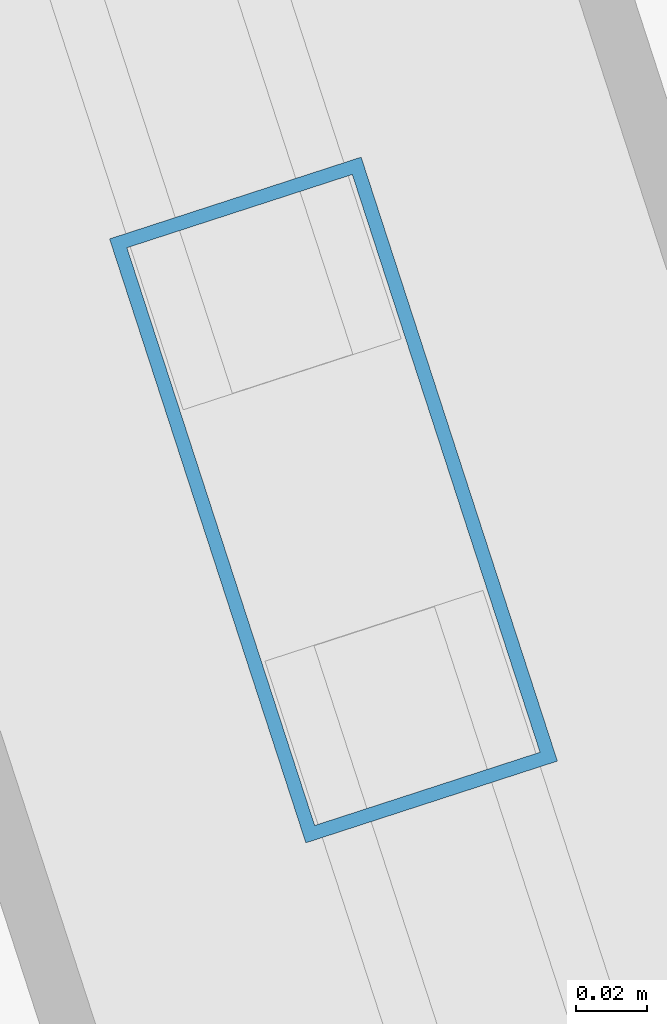
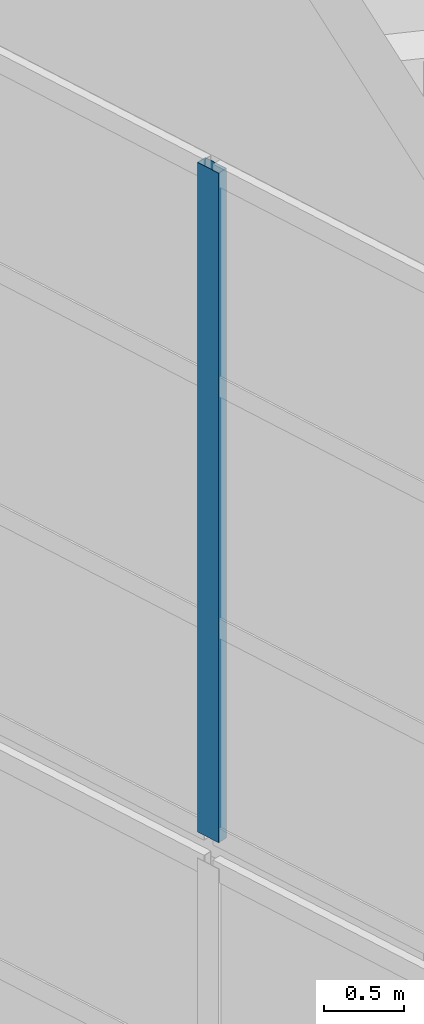
# One storey, part 6 of 56: 1 member, 1 element without a shape of its own.
"""IFC4 building model written with IfcOpenShell, lengths in metres."""

from ifc_helpers import new_model, si_unit, direction, frame, origin, origin_2d, place, context, subcontext, project, spatial, hollow_rectangle, extrude, material, layer, layer_set, material_profile, profile_set, type_object, element, aggregate, save


model = new_model("IFC4")

# Units and contexts
model_context = context("Model", 3, precision=1e-05, world=origin(), true_north=direction((0.0, 1.0)))
body_context = subcontext(model_context, "Body", "Model", "MODEL_VIEW")
ifc_project = project(units=[si_unit("LENGTHUNIT", "METRE"), si_unit("AREAUNIT", "SQUARE_METRE"), si_unit("VOLUMEUNIT", "CUBIC_METRE"), si_unit("PLANEANGLEUNIT", "RADIAN"), si_unit("MASSUNIT", "GRAM", prefix="KILO")], contexts=[model_context])

# Site, building, storey
site_placement = place(None, origin())
site = spatial("IfcSite", under=ifc_project, at=site_placement, CompositionType="ELEMENT")
building_placement = place(site_placement, origin())
building = spatial("IfcBuilding", under=site, at=building_placement, Name="Qiaolan Cultural Towers", CompositionType="ELEMENT")
storey_placement = place(building_placement, frame((0.0, 0.0, 250.39990234375)))
storey = spatial("IfcBuildingStorey", under=building, at=storey_placement, Name="L68", CompositionType="ELEMENT", Elevation=250.39990234375)

# Curtain wall, member
ifc_material_1 = material(Name="Unitized Anodized Aluminium Curtain Wall System", Category="aluminium")
ifc_layer = layer(ifc_material_1, 0.199951171875)
ifc_layer_set = layer_set([ifc_layer], Name="Unitized Anodized Aluminium Curtain Wall System")
curtain_wall_type = type_object("IfcCurtainWallType", Name="CWS-06", PredefinedType="NOTDEFINED", material=ifc_layer_set)
curtain_wall_placement = place(storey_placement, origin())
curtain_wall = element("IfcCurtainWall", 1, at=curtain_wall_placement, inside=storey, type_object=curtain_wall_type, Name="T2 Crown Tier 5 Fritted Screen Curtain Wall 7", PredefinedType="NOTDEFINED")
ifc_material_2 = material(Name="Extruded Aluminium 6063-T6", Category="aluminium")
ifc_material_profile = material_profile(ifc_material_2, hollow_rectangle(XDim=0.074951171875, YDim=0.179931640625, WallThickness=0.00390625, at=origin_2d()), Name="CWM-180x75x4")
ifc_profile_set = profile_set([ifc_material_profile], Name="Extruded Aluminium 6063-T6")
member_type = type_object("IfcMemberType", Name="CWS-06-MUL", PredefinedType="MULLION", material=ifc_profile_set)
member_placement = place(storey_placement, frame((76.234619140625, 31.546142578125, 21.300048828125), z_axis=(0.0, 0.0, 1.0), x_axis=(0.951056535512, 0.309016935232, 0.0)))
member = element("IfcMember", 2, at=member_placement, type_object=member_type, Name="CW-6 mullion 3", PredefinedType="MULLION", context=body_context, shape_type="SweptSolid", body=[
    extrude(hollow_rectangle(XDim=0.074951171875, YDim=0.179931640625, WallThickness=0.00390625, at=origin_2d()), origin(), (0.0, 0.0, 1.0), 5.10009765625),
])
aggregate(curtain_wall, [member])

save(model, "model.ifc")
